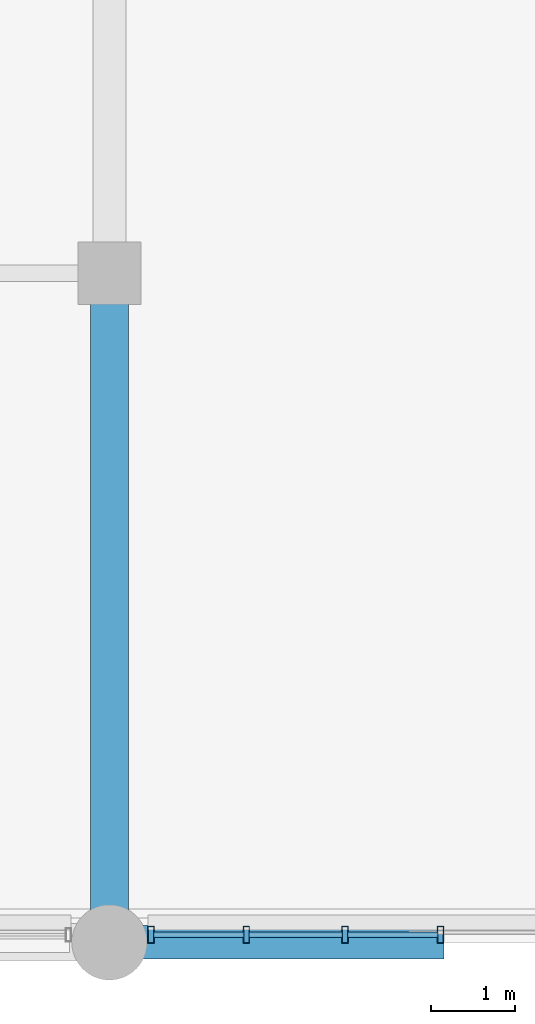
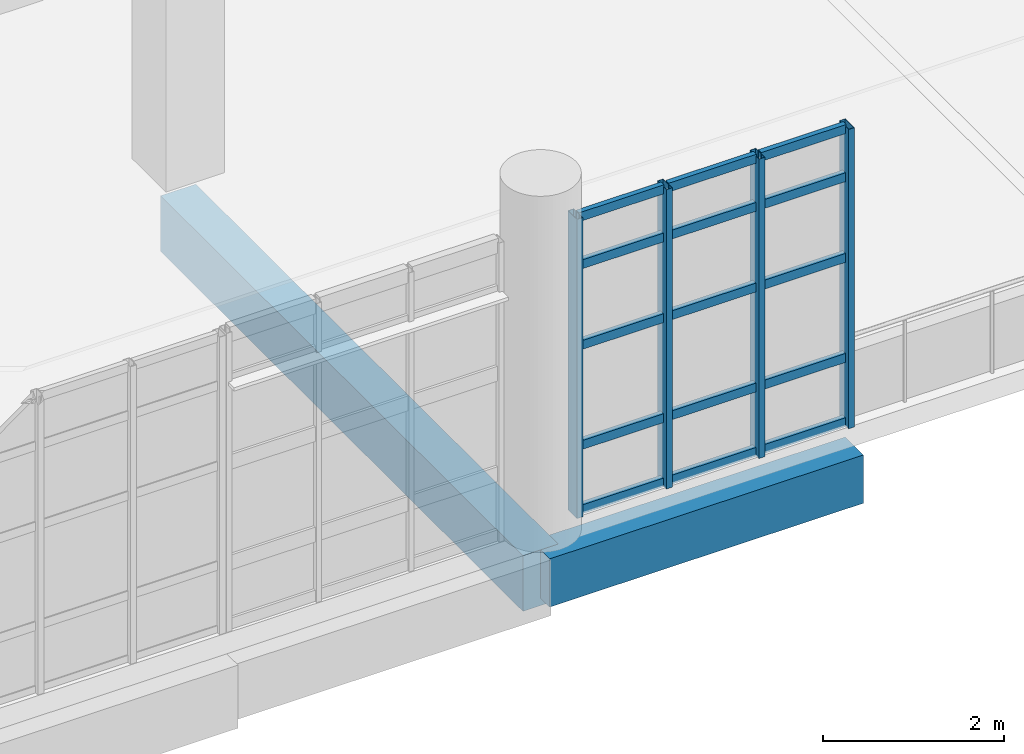
# One storey, part 22 of 127: 19 members, 2 beams, 1 element without a shape of its own.
"""IFC4 building model written with IfcOpenShell, lengths in metres."""

from ifc_helpers import new_model, si_unit, derived_unit, direction, frame, origin, origin_2d, place, context, subcontext, project, spatial, rectangle, hollow_rectangle, extrude, material, layer, layer_set, material_profile, profile_set, type_object, element, aggregate, save


model = new_model("IFC4")

# Units and contexts
model_context = context("Model", 3, precision=1e-05, world=origin(), true_north=direction((0.0, 1.0)))
body_context = subcontext(model_context, "Body", "Model", "MODEL_VIEW")
ifc_project = project(units=[si_unit("LENGTHUNIT", "METRE"), si_unit("AREAUNIT", "SQUARE_METRE"), si_unit("VOLUMEUNIT", "CUBIC_METRE"), si_unit("PLANEANGLEUNIT", "RADIAN"), si_unit("MASSUNIT", "GRAM", prefix="KILO"), derived_unit("THERMALTRANSMITTANCEUNIT", [(si_unit("POWERUNIT", "WATT"), 1), (si_unit("LENGTHUNIT", "METRE"), -2), (si_unit("THERMODYNAMICTEMPERATUREUNIT", "KELVIN"), -1)])], contexts=[model_context])

# Site, building, storey
site_placement = place(None, origin())
site = spatial("IfcSite", under=ifc_project, at=site_placement, CompositionType="ELEMENT")
building_placement = place(site_placement, origin())
building = spatial("IfcBuilding", under=site, at=building_placement, Name="Nallur Shell Playhouse", CompositionType="ELEMENT")
storey_placement = place(building_placement, frame((0.0, 0.0, 5.39990234375)))
storey = spatial("IfcBuildingStorey", under=building, at=storey_placement, Name="L02", CompositionType="ELEMENT", Elevation=5.39990234375)

# Beams
ifc_material_1 = material(Name="Concrete M35", Category="concrete")
ifc_material_profile_1 = material_profile(ifc_material_1, rectangle(XDim=0.39990234375, YDim=0.64990234375, at=origin_2d()), Name="RC 400x650")
ifc_profile_set_1 = profile_set([ifc_material_profile_1], Name="Concrete M35")
beam_type_1 = type_object("IfcBeamType", Name="BM-RC-400x650", PredefinedType="BEAM", material=ifc_profile_set_1)
beam_1_placement = place(storey_placement, frame((56.0, 8.0, -0.60498046875), z_axis=(1.0, 0.0, 0.0), x_axis=(0.0, 1.0, 0.0)))
element("IfcBeam", 1, at=beam_1_placement, inside=storey, type_object=beam_type_1, Name="L02 girder X-A-319", PredefinedType="BEAM", context=body_context, shape_type="SweptSolid", body=[
    extrude(rectangle(XDim=0.39990234375, YDim=0.64990234375, at=origin_2d()), origin(), (0.0, 0.0, 1.0), 4.0),
])
ifc_material_profile_2 = material_profile(ifc_material_1, rectangle(XDim=0.449951171875, YDim=0.75, at=origin_2d()), Name="RC 450x750")
ifc_profile_set_2 = profile_set([ifc_material_profile_2], Name="Concrete M35")
beam_type_2 = type_object("IfcBeamType", Name="BM-RC-450x750", PredefinedType="BEAM", material=ifc_profile_set_2)
beam_2_placement = place(storey_placement, frame((56.0, 8.0, -0.65478515625), z_axis=(0.0, 1.0, 0.0), x_axis=(-1.0, 0.0, 0.0)))
element("IfcBeam", 2, at=beam_2_placement, inside=storey, type_object=beam_type_2, Name="L02 girder Y-7-430", PredefinedType="BEAM", context=body_context, shape_type="SweptSolid", body=[
    extrude(rectangle(XDim=0.449951171875, YDim=0.75, at=origin_2d()), origin(), (0.0, 0.0, 1.0), 8.0),
])

# Curtain wall, members
ifc_material_2 = material(Name="Anodised Aluminium Double-Glazed Facade System", Category="aluminium")
ifc_layer = layer(ifc_material_2, 0.1640625)
ifc_layer_set = layer_set([ifc_layer], Name="Anodised Aluminium Double-Glazed Facade System")
curtain_wall_type = type_object("IfcCurtainWallType", Name="CW-UNIT-19", PredefinedType="NOTDEFINED", material=ifc_layer_set)
curtain_wall_placement = place(storey_placement, origin())
curtain_wall = element("IfcCurtainWall", 3, at=curtain_wall_placement, inside=storey, type_object=curtain_wall_type, Name="Unitised curtain wall CW-051 (L02)", PredefinedType="NOTDEFINED")
ifc_material_3 = material(Name="Aluminium Alloy 6063-T6 Mullion", Category="aluminium")
ifc_material_profile_3 = material_profile(ifc_material_3, hollow_rectangle(XDim=0.074951171875, YDim=0.199951171875, WallThickness=0.0048828125, at=origin_2d()), Name="ALU 75x200x5")
ifc_profile_set_3 = profile_set([ifc_material_profile_3], Name="Aluminium Alloy 6063-T6 Mullion")
member_type_1 = type_object("IfcMemberType", Name="MB-CW-MUL180", PredefinedType="MULLION", material=ifc_profile_set_3)
member_1_placement = place(storey_placement, frame((59.95751953125, 8.090087890625, -0.014892578125), z_axis=(0.0, 0.0, 1.0), x_axis=(-1.0, 0.0, 0.0)))
member_1 = element("IfcMember", 4, at=member_1_placement, type_object=member_type_1, Name="CW-19 mullion 1", PredefinedType="MULLION", context=body_context, shape_type="SweptSolid", body=[
    extrude(hollow_rectangle(XDim=0.074951171875, YDim=0.199951171875, WallThickness=0.0048828125, at=origin_2d()), origin(), (0.0, 0.0, 1.0), 4.033935546875),
])
member_2_placement = place(storey_placement, frame((58.81591796875, 8.090087890625, -0.014892578125), z_axis=(0.0, 0.0, 1.0), x_axis=(-1.0, 0.0, 0.0)))
member_2 = element("IfcMember", 5, at=member_2_placement, type_object=member_type_1, Name="CW-19 mullion 2", PredefinedType="MULLION", context=body_context, shape_type="SweptSolid", body=[
    extrude(hollow_rectangle(XDim=0.074951171875, YDim=0.199951171875, WallThickness=0.0048828125, at=origin_2d()), origin(), (0.0, 0.0, 1.0), 4.033935546875),
])
member_3_placement = place(storey_placement, frame((57.636962890625, 8.090087890625, -0.014892578125), z_axis=(0.0, 0.0, 1.0), x_axis=(-1.0, 0.0, 0.0)))
member_3 = element("IfcMember", 6, at=member_3_placement, type_object=member_type_1, Name="CW-19 mullion 3", PredefinedType="MULLION", context=body_context, shape_type="SweptSolid", body=[
    extrude(hollow_rectangle(XDim=0.074951171875, YDim=0.199951171875, WallThickness=0.0048828125, at=origin_2d()), origin(), (0.0, 0.0, 1.0), 4.033935546875),
])
member_4_placement = place(storey_placement, frame((56.49560546875, 8.090087890625, -0.014892578125), z_axis=(0.0, 0.0, 1.0), x_axis=(-1.0, 0.0, 0.0)))
member_4 = element("IfcMember", 7, at=member_4_placement, type_object=member_type_1, Name="CW-19 mullion 4", PredefinedType="MULLION", context=body_context, shape_type="SweptSolid", body=[
    extrude(hollow_rectangle(XDim=0.074951171875, YDim=0.199951171875, WallThickness=0.0048828125, at=origin_2d()), origin(), (0.0, 0.0, 1.0), 4.033935546875),
])
ifc_material_4 = material(Name="Aluminium Alloy 6063-T6 Transom", Category="aluminium")
ifc_material_profile_4 = material_profile(ifc_material_4, hollow_rectangle(XDim=0.06494140625, YDim=0.1201171875, WallThickness=0.00390625, at=origin_2d()), Name="ALU 65x120x4")
ifc_profile_set_4 = profile_set([ifc_material_profile_4], Name="Aluminium Alloy 6063-T6 Transom")
member_type_2 = type_object("IfcMemberType", Name="MB-CW-TRN120", PredefinedType="USERDEFINED", material=ifc_profile_set_4)
member_5_placement = place(storey_placement, frame((59.927978515625, 8.090087890625, 0.03271484375), z_axis=(-1.0, 0.0, 0.0), x_axis=(0.0, -1.0, 0.0)))
member_5 = element("IfcMember", 8, at=member_5_placement, type_object=member_type_2, Name="CW-19 transom 1.1", ObjectType="TRANSOM", PredefinedType="USERDEFINED", context=body_context, shape_type="SweptSolid", body=[
    extrude(hollow_rectangle(XDim=0.06494140625, YDim=0.1201171875, WallThickness=0.00390625, at=origin_2d()), origin(), (0.0, 0.0, 1.0), 1.08251953125),
])
member_6_placement = place(storey_placement, frame((59.927978515625, 8.090087890625, 0.900146484375), z_axis=(-1.0, 0.0, 0.0), x_axis=(0.0, -1.0, 0.0)))
member_6 = element("IfcMember", 9, at=member_6_placement, type_object=member_type_2, Name="CW-19 transom 1.2", ObjectType="TRANSOM", PredefinedType="USERDEFINED", context=body_context, shape_type="SweptSolid", body=[
    extrude(hollow_rectangle(XDim=0.06494140625, YDim=0.1201171875, WallThickness=0.00390625, at=origin_2d()), origin(), (0.0, 0.0, 1.0), 1.08251953125),
])
member_7_placement = place(storey_placement, frame((59.927978515625, 8.090087890625, 2.248046875), z_axis=(-1.0, 0.0, 0.0), x_axis=(0.0, -1.0, 0.0)))
member_7 = element("IfcMember", 10, at=member_7_placement, type_object=member_type_2, Name="CW-19 transom 1.3", ObjectType="TRANSOM", PredefinedType="USERDEFINED", context=body_context, shape_type="SweptSolid", body=[
    extrude(hollow_rectangle(XDim=0.06494140625, YDim=0.1201171875, WallThickness=0.00390625, at=origin_2d()), origin(), (0.0, 0.0, 1.0), 1.08251953125),
])
member_8_placement = place(storey_placement, frame((59.927978515625, 8.090087890625, 3.335205078125), z_axis=(-1.0, 0.0, 0.0), x_axis=(0.0, -1.0, 0.0)))
member_8 = element("IfcMember", 11, at=member_8_placement, type_object=member_type_2, Name="CW-19 transom 1.4", ObjectType="TRANSOM", PredefinedType="USERDEFINED", context=body_context, shape_type="SweptSolid", body=[
    extrude(hollow_rectangle(XDim=0.06494140625, YDim=0.1201171875, WallThickness=0.00390625, at=origin_2d()), origin(), (0.0, 0.0, 1.0), 1.08251953125),
])
member_9_placement = place(storey_placement, frame((59.927978515625, 8.090087890625, 3.982666015625), z_axis=(-1.0, 0.0, 0.0), x_axis=(0.0, -1.0, 0.0)))
member_9 = element("IfcMember", 12, at=member_9_placement, type_object=member_type_2, Name="CW-19 transom 1.5", ObjectType="TRANSOM", PredefinedType="USERDEFINED", context=body_context, shape_type="SweptSolid", body=[
    extrude(hollow_rectangle(XDim=0.06494140625, YDim=0.1201171875, WallThickness=0.00390625, at=origin_2d()), origin(), (0.0, 0.0, 1.0), 1.08251953125),
])
member_10_placement = place(storey_placement, frame((58.78662109375, 8.090087890625, 0.03271484375), z_axis=(-1.0, 0.0, 0.0), x_axis=(0.0, -1.0, 0.0)))
member_10 = element("IfcMember", 13, at=member_10_placement, type_object=member_type_2, Name="CW-19 transom 2.1", ObjectType="TRANSOM", PredefinedType="USERDEFINED", context=body_context, shape_type="SweptSolid", body=[
    extrude(hollow_rectangle(XDim=0.06494140625, YDim=0.1201171875, WallThickness=0.00390625, at=origin_2d()), origin(), (0.0, 0.0, 1.0), 1.1201171875),
])
member_11_placement = place(storey_placement, frame((58.78662109375, 8.090087890625, 0.900146484375), z_axis=(-1.0, 0.0, 0.0), x_axis=(0.0, -1.0, 0.0)))
member_11 = element("IfcMember", 14, at=member_11_placement, type_object=member_type_2, Name="CW-19 transom 2.2", ObjectType="TRANSOM", PredefinedType="USERDEFINED", context=body_context, shape_type="SweptSolid", body=[
    extrude(hollow_rectangle(XDim=0.06494140625, YDim=0.1201171875, WallThickness=0.00390625, at=origin_2d()), origin(), (0.0, 0.0, 1.0), 1.1201171875),
])
member_12_placement = place(storey_placement, frame((58.78662109375, 8.090087890625, 2.248046875), z_axis=(-1.0, 0.0, 0.0), x_axis=(0.0, -1.0, 0.0)))
member_12 = element("IfcMember", 15, at=member_12_placement, type_object=member_type_2, Name="CW-19 transom 2.3", ObjectType="TRANSOM", PredefinedType="USERDEFINED", context=body_context, shape_type="SweptSolid", body=[
    extrude(hollow_rectangle(XDim=0.06494140625, YDim=0.1201171875, WallThickness=0.00390625, at=origin_2d()), origin(), (0.0, 0.0, 1.0), 1.1201171875),
])
member_13_placement = place(storey_placement, frame((58.78662109375, 8.090087890625, 3.335205078125), z_axis=(-1.0, 0.0, 0.0), x_axis=(0.0, -1.0, 0.0)))
member_13 = element("IfcMember", 16, at=member_13_placement, type_object=member_type_2, Name="CW-19 transom 2.4", ObjectType="TRANSOM", PredefinedType="USERDEFINED", context=body_context, shape_type="SweptSolid", body=[
    extrude(hollow_rectangle(XDim=0.06494140625, YDim=0.1201171875, WallThickness=0.00390625, at=origin_2d()), origin(), (0.0, 0.0, 1.0), 1.1201171875),
])
member_14_placement = place(storey_placement, frame((58.78662109375, 8.090087890625, 3.982666015625), z_axis=(-1.0, 0.0, 0.0), x_axis=(0.0, -1.0, 0.0)))
member_14 = element("IfcMember", 17, at=member_14_placement, type_object=member_type_2, Name="CW-19 transom 2.5", ObjectType="TRANSOM", PredefinedType="USERDEFINED", context=body_context, shape_type="SweptSolid", body=[
    extrude(hollow_rectangle(XDim=0.06494140625, YDim=0.1201171875, WallThickness=0.00390625, at=origin_2d()), origin(), (0.0, 0.0, 1.0), 1.1201171875),
])
member_15_placement = place(storey_placement, frame((57.607421875, 8.090087890625, 0.03271484375), z_axis=(-1.0, 0.0, 0.0), x_axis=(0.0, -1.0, 0.0)))
member_15 = element("IfcMember", 18, at=member_15_placement, type_object=member_type_2, Name="CW-19 transom 3.1", ObjectType="TRANSOM", PredefinedType="USERDEFINED", context=body_context, shape_type="SweptSolid", body=[
    extrude(hollow_rectangle(XDim=0.06494140625, YDim=0.1201171875, WallThickness=0.00390625, at=origin_2d()), origin(), (0.0, 0.0, 1.0), 1.08251953125),
])
member_16_placement = place(storey_placement, frame((57.607421875, 8.090087890625, 0.900146484375), z_axis=(-1.0, 0.0, 0.0), x_axis=(0.0, -1.0, 0.0)))
member_16 = element("IfcMember", 19, at=member_16_placement, type_object=member_type_2, Name="CW-19 transom 3.2", ObjectType="TRANSOM", PredefinedType="USERDEFINED", context=body_context, shape_type="SweptSolid", body=[
    extrude(hollow_rectangle(XDim=0.06494140625, YDim=0.1201171875, WallThickness=0.00390625, at=origin_2d()), origin(), (0.0, 0.0, 1.0), 1.08251953125),
])
member_17_placement = place(storey_placement, frame((57.607421875, 8.090087890625, 2.248046875), z_axis=(-1.0, 0.0, 0.0), x_axis=(0.0, -1.0, 0.0)))
member_17 = element("IfcMember", 20, at=member_17_placement, type_object=member_type_2, Name="CW-19 transom 3.3", ObjectType="TRANSOM", PredefinedType="USERDEFINED", context=body_context, shape_type="SweptSolid", body=[
    extrude(hollow_rectangle(XDim=0.06494140625, YDim=0.1201171875, WallThickness=0.00390625, at=origin_2d()), origin(), (0.0, 0.0, 1.0), 1.08251953125),
])
member_18_placement = place(storey_placement, frame((57.607421875, 8.090087890625, 3.335205078125), z_axis=(-1.0, 0.0, 0.0), x_axis=(0.0, -1.0, 0.0)))
member_18 = element("IfcMember", 21, at=member_18_placement, type_object=member_type_2, Name="CW-19 transom 3.4", ObjectType="TRANSOM", PredefinedType="USERDEFINED", context=body_context, shape_type="SweptSolid", body=[
    extrude(hollow_rectangle(XDim=0.06494140625, YDim=0.1201171875, WallThickness=0.00390625, at=origin_2d()), origin(), (0.0, 0.0, 1.0), 1.08251953125),
])
member_19_placement = place(storey_placement, frame((57.607421875, 8.090087890625, 3.982666015625), z_axis=(-1.0, 0.0, 0.0), x_axis=(0.0, -1.0, 0.0)))
member_19 = element("IfcMember", 22, at=member_19_placement, type_object=member_type_2, Name="CW-19 transom 3.5", ObjectType="TRANSOM", PredefinedType="USERDEFINED", context=body_context, shape_type="SweptSolid", body=[
    extrude(hollow_rectangle(XDim=0.06494140625, YDim=0.1201171875, WallThickness=0.00390625, at=origin_2d()), origin(), (0.0, 0.0, 1.0), 1.08251953125),
])
aggregate(curtain_wall, [member_1, member_2, member_3, member_4, member_5, member_6, member_7, member_8, member_9, member_10, member_11, member_12, member_13, member_14, member_15, member_16, member_17, member_18, member_19])

save(model, "model.ifc")
